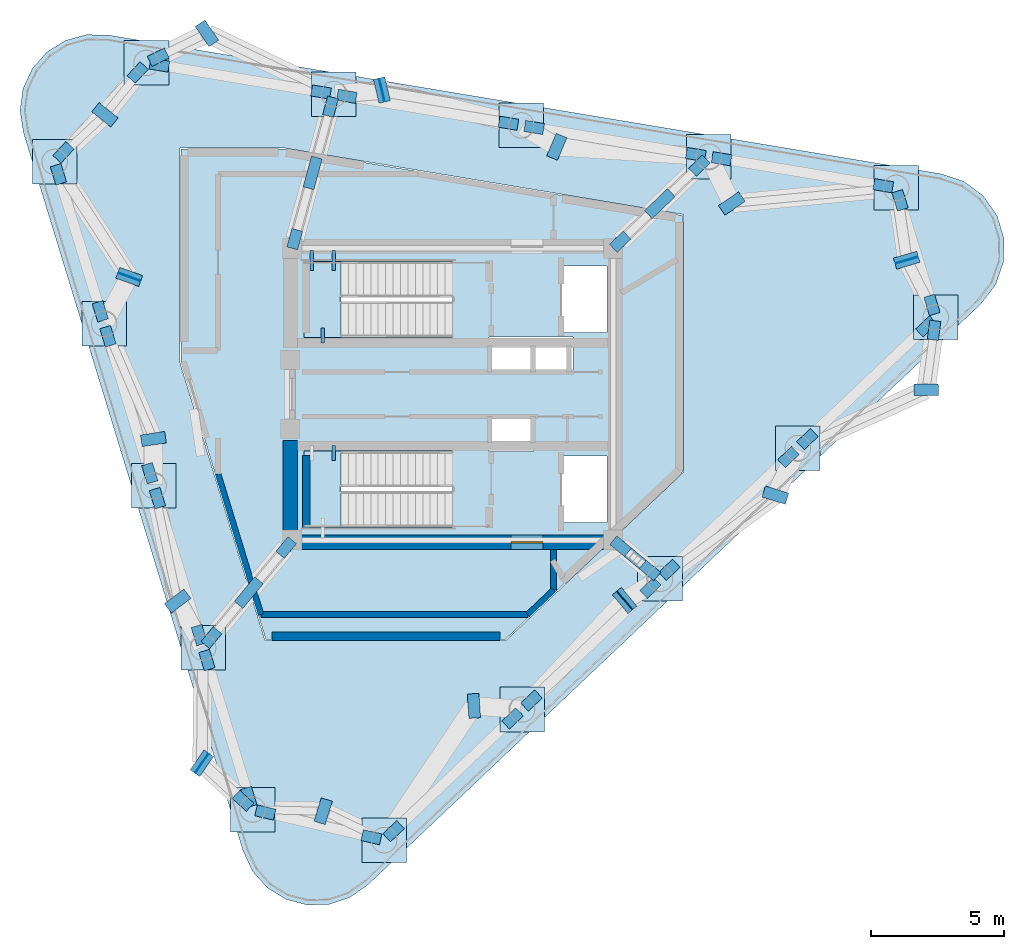
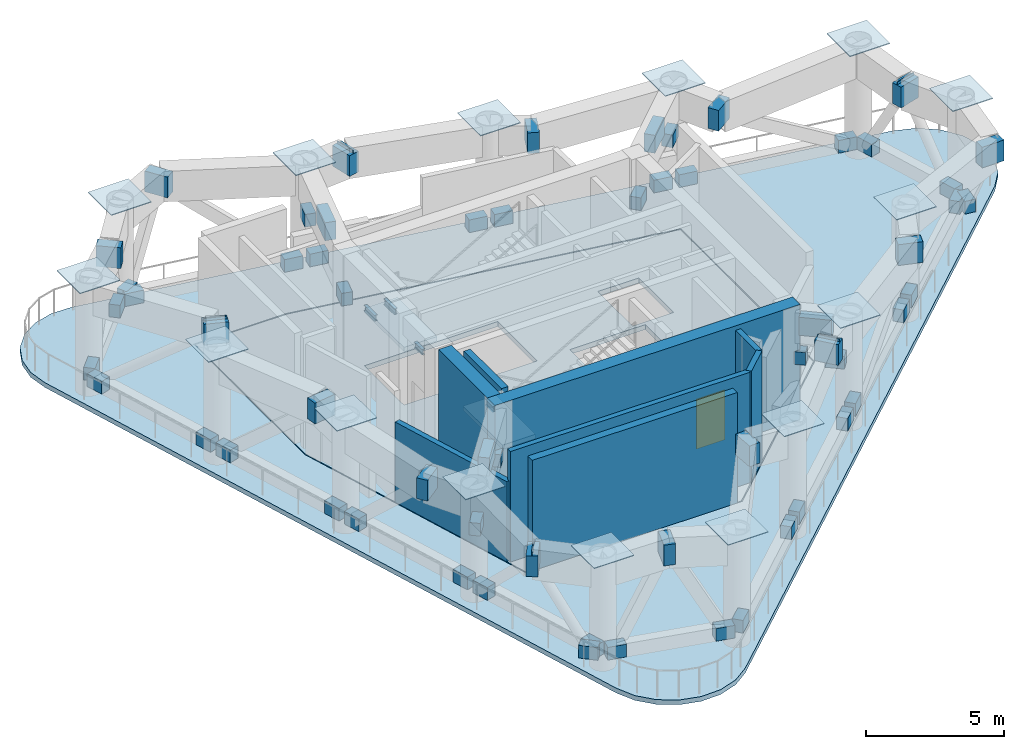
# One storey, part 3 of 9: 80 plates, 8 walls, 4 beams, 4 slabs, 1 door, 1 opening, 2 elements without a shape of their own.
"""IFC4 building model written with IfcOpenShell, lengths in metres."""

from ifc_helpers import new_model, si_unit, direction, frame, frame_2d, origin, origin_2d, place, context, subcontext, project, spatial, polyline, rectangle, i_section, outline, extrude, source, transform, mapped, material, layer, layer_set, material_profile, profile_set, type_object, element, fill, aggregate, save


model = new_model("IFC4")

# Units and contexts
model_context = context("Model", 3, precision=1e-05, world=origin(), true_north=direction((0.0, 1.0)))
body_context = subcontext(model_context, "Body", "Model", "MODEL_VIEW")
ifc_project = project(units=[si_unit("LENGTHUNIT", "METRE"), si_unit("AREAUNIT", "SQUARE_METRE"), si_unit("VOLUMEUNIT", "CUBIC_METRE"), si_unit("PLANEANGLEUNIT", "RADIAN"), si_unit("MASSUNIT", "GRAM", prefix="KILO")], contexts=[model_context])

# Site, building, storey
site_placement = place(None, origin())
site = spatial("IfcSite", under=ifc_project, at=site_placement, CompositionType="ELEMENT")
building_placement = place(site_placement, origin())
building = spatial("IfcBuilding", under=site, at=building_placement, Name="Yunling Apex Tower", CompositionType="ELEMENT")
storey_placement = place(building_placement, frame((0.0, 0.0, 252.449951171875)))
storey = spatial("IfcBuildingStorey", under=building, at=storey_placement, Name="RF7", CompositionType="ELEMENT", Elevation=252.449951171875)

# Beams
ifc_material_1 = material(Name="Steel Q355B", Category="steel")
ifc_material_profile = material_profile(ifc_material_1, i_section(OverallWidth=0.125, OverallDepth=0.25, WebThickness=0.006103515625, FlangeThickness=0.009033203125, FilletRadius=0.011962890625, at=origin_2d()))
ifc_profile_set = profile_set([ifc_material_profile], Name="Steel Q355B")
beam_type = type_object("IfcBeamType", Name="BL-LNT-1", PredefinedType="LINTEL", material=ifc_profile_set)
shared_shape_1 = source(origin(), body_context, "Body", "SweptSolid", [
    extrude(i_section(OverallWidth=0.125, OverallDepth=0.25, WebThickness=0.006103515625, FlangeThickness=0.009033203125, FilletRadius=0.011962890625, at=origin_2d()), origin(), (0.0, 0.0, 1.0), 0.760009765625),
])
for number, where, z_axis, x_axis, name in (
    (1, (-5.320068359375, 5.419921875, 2.22998046875), (0.0, -1.0, 0.0), (1.0, 0.0, 0.0), "RF7 ST-1 Landing Bearing Corbel 1-1"),
    (2, (-4.489990234375, 5.419921875, 2.22998046875), (0.0, -1.0, 0.0), (1.0, 0.0, 0.0), "RF7 ST-1 Landing Bearing Corbel 1-2"),
):
    element("IfcBeam", number, at=place(storey_placement, frame(where, z_axis=z_axis, x_axis=x_axis)), inside=storey, type_object=beam_type, Name=name, PredefinedType="LINTEL", context=body_context, shape_type="MappedRepresentation", body=[
        mapped(shared_shape_1, transform((0.0, 0.0, 0.0), scale=1.0)),
    ])
shared_shape_2 = source(origin(), body_context, "Body", "SweptSolid", [
    extrude(i_section(OverallWidth=0.125, OverallDepth=0.25, WebThickness=0.006103515625, FlangeThickness=0.009033203125, FilletRadius=0.011962890625, at=origin_2d()), origin(), (0.0, 0.0, 1.0), 0.550048828125),
])
for number, where, z_axis, x_axis, name in (
    (3, (-4.905029296875, 1.93994140625, 2.22998046875), (0.0, 1.0, 0.0), (-1.0, 0.0, 0.0), "RF7 ST-1 Landing Bearing Corbel 1-3"),
    (4, (-4.489990234375, -1.93994140625, 2.22998046875), (0.0, -1.0, 0.0), (1.0, 0.0, 0.0), "RF7 ST-2 Landing Bearing Corbel 1-2"),
):
    element("IfcBeam", number, at=place(storey_placement, frame(where, z_axis=z_axis, x_axis=x_axis)), inside=storey, type_object=beam_type, Name=name, PredefinedType="LINTEL", context=body_context, shape_type="MappedRepresentation", body=[
        mapped(shared_shape_2, transform((0.0, 0.0, 0.0), scale=1.0)),
    ])

# Stair, slab
ifc_material_2 = material(Name="Concrete C40", Category="concrete")
stair_type = type_object("IfcStairType", Name="ST-TWR-1", PredefinedType="HALF_TURN_STAIR", material=ifc_material_2)
stair_1_placement = place(storey_placement, origin())
stair_1 = element("IfcStair", 5, at=stair_1_placement, inside=storey, type_object=stair_type, Name="RF7 North Core Smokeproof Exit Stair ST-1", PredefinedType="HALF_TURN_STAIR")
ifc_layer_1 = layer(ifc_material_2, 0.195068359375)
ifc_layer_set_1 = layer_set([ifc_layer_1], Name="Concrete C40")
slab_type_1 = type_object("IfcSlabType", Name="SL-LND-1", PredefinedType="LANDING", material=ifc_layer_set_1)
slab_1_placement = place(storey_placement, frame((0.0, 0.0, 2.35498046875)))
slab_1 = element("IfcSlab", 6, at=slab_1_placement, type_object=slab_type_1, Name="ST-1 landing 1", PredefinedType="LANDING", context=body_context, shape_type="SweptSolid", body=[
    extrude(outline(polyline([(-4.2099609375, 5.010009765625), (-5.60009765625, 5.010009765625), (-5.60009765625, 2.139892578125), (-4.2099609375, 2.139892578125), (-4.2099609375, 5.010009765625)])), origin(), (0.0, 0.0, 1.0), 0.195068359375),
])
aggregate(stair_1, [slab_1])

stair_2_placement = place(storey_placement, origin())
stair_2 = element("IfcStair", 7, at=stair_2_placement, inside=storey, type_object=stair_type, Name="RF7 South Core Smokeproof Exit Stair ST-2", PredefinedType="HALF_TURN_STAIR")
slab_2_placement = place(storey_placement, frame((0.0, 0.0, 2.35498046875)))
slab_2 = element("IfcSlab", 8, at=slab_2_placement, type_object=slab_type_1, Name="ST-2 landing 1", PredefinedType="LANDING", context=body_context, shape_type="SweptSolid", body=[
    extrude(outline(polyline([(-4.2099609375, -2.139892578125), (-5.60009765625, -2.139892578125), (-5.60009765625, -5.010009765625), (-4.2099609375, -5.010009765625), (-4.2099609375, -2.139892578125)])), origin(), (0.0, 0.0, 1.0), 0.195068359375),
])
aggregate(stair_2, [slab_2])

# Slabs
ifc_layer_2 = layer(ifc_material_2, 0.219970703125)
ifc_layer_set_2 = layer_set([ifc_layer_2], Name="Concrete C40")
slab_type_2 = type_object("IfcSlabType", Name="SL-RFG-1", PredefinedType="FLOOR", material=ifc_layer_set_2)
slab_3_placement = place(storey_placement, frame((0.0, 0.0, -0.219970703125)))
element("IfcSlab", 9, at=slab_3_placement, inside=storey, type_object=slab_type_2, Name="RF7 Mechanical & Belt-Truss Interior Slab", PredefinedType="FLOOR", context=body_context, shape_type="SweptSolid", body=[
    extrude(outline(polyline([(8.64990234375, 6.740478515625), (-6.4111328125, 9.25), (-10.25, 9.25), (-10.25, 1.2353515625), (-7.044189453125, -9.25), (1.9716796875, -9.25), (8.64990234375, -2.92138671875), (8.64990234375, 6.740478515625)]), holes=[polyline([(4.090087890625, 4.840087890625), (5.81005859375, 4.840087890625), (5.81005859375, 2.320068359375), (4.090087890625, 2.320068359375), (4.090087890625, 4.840087890625)]), polyline([(4.090087890625, -4.840087890625), (4.090087890625, -2.320068359375), (5.81005859375, -2.320068359375), (5.81005859375, -4.840087890625), (4.090087890625, -4.840087890625)]), polyline([(4.534912109375, 0.794921875), (1.364990234375, 0.794921875), (1.364990234375, 2.1650390625), (4.534912109375, 2.1650390625), (4.534912109375, 0.794921875)]), polyline([(1.364990234375, -0.794921875), (3.034912109375, -0.794921875), (3.034912109375, -2.1650390625), (1.364990234375, -2.1650390625), (1.364990234375, -0.794921875)]), polyline([(-0.010009765625, -5.010009765625), (-5.60009765625, -5.010009765625), (-5.60009765625, -2.139892578125), (-0.010009765625, -2.139892578125), (-0.010009765625, -5.010009765625)]), polyline([(-0.010009765625, 2.139892578125), (-5.60009765625, 2.139892578125), (-5.60009765625, 5.010009765625), (-0.010009765625, 5.010009765625), (-0.010009765625, 2.139892578125)])]), origin(), (0.0, 0.0, 1.0), 0.219970703125),
])
ifc_layer_3 = layer(ifc_material_2, 0.2099609375)
ifc_layer_set_3 = layer_set([ifc_layer_3], Name="Concrete C40")
slab_type_3 = type_object("IfcSlabType", Name="SL-RFG-EXT", PredefinedType="FLOOR", material=ifc_layer_set_3)
slab_4_placement = place(storey_placement, frame((0.0, 0.0, -0.2099609375)))
element("IfcSlab", 10, at=slab_4_placement, inside=storey, type_object=slab_type_3, Name="RF7 Open Refuge Perimeter Terrace Band", PredefinedType="FLOOR", context=body_context, shape_type="SweptSolid", body=[
    extrude(outline(polyline([(-7.894287109375, -17.243408203125), (-7.54052734375, -17.991455078125), (-6.9873046875, -18.60693359375), (-6.281005859375, -19.0380859375), (-5.480712890625, -19.249267578125), (-4.65380859375, -19.22216796875), (-3.868896484375, -18.959716796875), (-3.192138671875, -18.483154296875), (19.91064453125, 3.409912109375), (20.459716796875, 4.126220703125), (20.7578125, 4.977783203125), (20.776123046875, 5.880126953125), (20.51220703125, 6.7431640625), (19.99267578125, 7.48095703125), (19.26904296875, 8.02001953125), (18.41357421875, 8.306884765625), (-12.982177734375, 13.538330078125), (-13.8095703125, 13.5546875), (-14.60693359375, 13.33349609375), (-15.307861328125, 12.8935546875), (-15.853271484375, 12.27099609375), (-16.197509765625, 11.5185546875), (-16.31201171875, 10.698974609375), (-16.187255859375, 9.881103515625), (-7.894287109375, -17.243408203125)]), holes=[polyline([(1.98779296875, -9.2900390625), (-7.073974609375, -9.2900390625), (-10.2900390625, 1.229248046875), (-10.2900390625, 9.2900390625), (-6.407958984375, 9.2900390625), (8.68994140625, 6.7744140625), (8.68994140625, -2.938720703125), (1.98779296875, -9.2900390625)])]), origin(), (0.0, 0.0, 1.0), 0.2099609375),
])

# Plates
ifc_layer_4 = layer(ifc_material_1, 0.030029296875)
ifc_layer_set_4 = layer_set([ifc_layer_4], Name="Steel Q355B")
plate_type_1 = type_object("IfcPlateType", Name="NP-CAP-1", PredefinedType="USERDEFINED", material=ifc_layer_set_4)
shared_shape_3 = source(origin(), body_context, "Body", "SweptSolid", [
    extrude(rectangle(XDim=1.679931640625, YDim=1.679931640625, at=origin_2d()), origin(), (0.0, 0.0, 1.0), 0.035888671875),
])
for number, where, z_axis, x_axis, name in (
    (11, (-2.58740234375, -16.807861328125, 4.9970703125), (0.0, 0.0, 1.0), (1.0, 0.0, 0.0), "RF7 Lower-Block CFST Column Top Cap Plate P01"),
    (12, (2.61083984375, -11.8818359375, 4.9970703125), (0.0, 0.0, 1.0), (1.0, 0.0, 0.0), "RF7 Lower-Block CFST Column Top Cap Plate P02"),
    (13, (7.80908203125, -6.9560546875, 4.9970703125), (0.0, 0.0, 1.0), (1.0, 0.0, 0.0), "RF7 Lower-Block CFST Column Top Cap Plate P03"),
    (14, (13.007080078125, -2.030029296875, 4.9970703125), (0.0, 0.0, 1.0), (1.0, 0.0, 0.0), "RF7 Lower-Block CFST Column Top Cap Plate P04"),
    (15, (18.205322265625, 2.89599609375, 4.9970703125), (0.0, 0.0, 1.0), (1.0, 0.0, 0.0), "RF7 Lower-Block CFST Column Top Cap Plate P05"),
    (16, (16.712158203125, 7.779296875, 4.9970703125), (0.0, 0.0, 1.0), (1.0, 0.0, 0.0), "RF7 Lower-Block CFST Column Top Cap Plate P06"),
    (17, (9.648193359375, 8.95654296875, 4.9970703125), (0.0, 0.0, 1.0), (1.0, 0.0, 0.0), "RF7 Lower-Block CFST Column Top Cap Plate P07"),
    (18, (2.584228515625, 10.133544921875, 4.9970703125), (0.0, 0.0, 1.0), (1.0, 0.0, 0.0), "RF7 Lower-Block CFST Column Top Cap Plate P08"),
    (19, (-4.479736328125, 11.310546875, 4.9970703125), (0.0, 0.0, 1.0), (1.0, 0.0, 0.0), "RF7 Lower-Block CFST Column Top Cap Plate P09"),
    (20, (-11.543701171875, 12.487548828125, 4.9970703125), (0.0, 0.0, 1.0), (1.0, 0.0, 0.0), "RF7 Lower-Block CFST Column Top Cap Plate P10"),
    (21, (-15.007568359375, 8.7587890625, 4.9970703125), (0.0, 0.0, 1.0), (1.0, 0.0, 0.0), "RF7 Lower-Block CFST Column Top Cap Plate P11"),
    (22, (-13.1416015625, 2.65576171875, 4.9970703125), (0.0, 0.0, 1.0), (1.0, 0.0, 0.0), "RF7 Lower-Block CFST Column Top Cap Plate P12"),
    (23, (-11.27587890625, -3.447509765625, 4.9970703125), (0.0, 0.0, 1.0), (1.0, 0.0, 0.0), "RF7 Lower-Block CFST Column Top Cap Plate P13"),
    (24, (-9.409912109375, -9.55029296875, 4.9970703125), (0.0, 0.0, 1.0), (1.0, 0.0, 0.0), "RF7 Lower-Block CFST Column Top Cap Plate P14"),
    (25, (-7.5439453125, -15.6533203125, 4.9970703125), (0.0, 0.0, 1.0), (1.0, 0.0, 0.0), "RF7 Lower-Block CFST Column Top Cap Plate P15"),
):
    element("IfcPlate", number, at=place(storey_placement, frame(where, z_axis=z_axis, x_axis=x_axis)), inside=storey, type_object=plate_type_1, Name=name, ObjectType="CAP_PLATE", PredefinedType="USERDEFINED", context=body_context, shape_type="MappedRepresentation", body=[
        mapped(shared_shape_3, transform((0.0, 0.0, 0.0), scale=1.0)),
    ])
ifc_layer_5 = layer(ifc_material_1, 0.035888671875)
ifc_layer_set_5 = layer_set([ifc_layer_5], Name="Steel Q355B")
plate_type_2 = type_object("IfcPlateType", Name="NP-GUS-1", PredefinedType="USERDEFINED", material=ifc_layer_set_5)
shared_shape_4 = source(origin(), body_context, "Body", "SweptSolid", [
    extrude(rectangle(XDim=0.719970703125, YDim=0.419921875, at=origin_2d()), origin(), (0.0, 0.0, 1.0), 0.56005859375),
])
for number, where, z_axis, x_axis, name in (
    (26, (-2.230224609375, -16.469482421875, 0.27001953125), (0.0, 0.0, 1.0), (0.725854756355, 0.687848001144, 0.0), "RF7 Belt Chord End Gusset Plate 262"),
    (27, (2.253662109375, -12.22021484375, 0.27001953125), (0.0, 0.0, 1.0), (0.725854756355, 0.687848001144, 0.0), "RF7 Belt Chord End Gusset Plate 263"),
    (28, (2.968017578125, -11.54345703125, 0.27001953125), (0.0, 0.0, 1.0), (0.725854756355, 0.687848001144, 0.0), "RF7 Belt Chord End Gusset Plate 264"),
    (29, (7.451904296875, -7.29443359375, 0.27001953125), (0.0, 0.0, 1.0), (0.725854756355, 0.687848001144, 0.0), "RF7 Belt Chord End Gusset Plate 265"),
    (30, (8.166015625, -6.61767578125, 0.27001953125), (0.0, 0.0, 1.0), (0.725854756355, 0.687848001144, 0.0), "RF7 Belt Chord End Gusset Plate 266"),
    (31, (12.64990234375, -2.368408203125, 0.27001953125), (0.0, 0.0, 1.0), (0.725854756355, 0.687848001144, 0.0), "RF7 Belt Chord End Gusset Plate 267"),
    (32, (13.3642578125, -1.691650390625, 0.27001953125), (0.0, 0.0, 1.0), (0.725854756355, 0.687848001144, 0.0), "RF7 Belt Chord End Gusset Plate 268"),
    (33, (17.84814453125, 2.5576171875, 0.27001953125), (0.0, 0.0, 1.0), (0.725854756355, 0.687848001144, 0.0), "RF7 Belt Chord End Gusset Plate 269"),
    (34, (18.061279296875, 3.366455078125, 0.27001953125), (0.0, 0.0, 1.0), (-0.292371704723, 0.956304755963, 0.0), "RF7 Belt Chord End Gusset Plate 270"),
    (35, (16.856201171875, 7.308837890625, 0.27001953125), (0.0, 0.0, 1.0), (-0.292371704723, 0.956304755963, 0.0), "RF7 Belt Chord End Gusset Plate 271"),
    (36, (16.226806640625, 7.8603515625, 0.27001953125), (0.0, 0.0, 1.0), (-0.986400586142, 0.164359008451, 0.0), "RF7 Belt Chord End Gusset Plate 272"),
    (37, (10.133544921875, 8.87548828125, 0.27001953125), (0.0, 0.0, 1.0), (-0.986400586142, 0.164359008451, 0.0), "RF7 Belt Chord End Gusset Plate 273"),
    (38, (9.162841796875, 9.037353515625, 0.27001953125), (0.0, 0.0, 1.0), (-0.986400586142, 0.164359008451, 0.0), "RF7 Belt Chord End Gusset Plate 274"),
    (39, (3.069580078125, 10.052490234375, 0.27001953125), (0.0, 0.0, 1.0), (-0.986400586142, 0.164359008451, 0.0), "RF7 Belt Chord End Gusset Plate 275"),
    (40, (2.098876953125, 10.21435546875, 0.27001953125), (0.0, 0.0, 1.0), (-0.986400586142, 0.164359008451, 0.0), "RF7 Belt Chord End Gusset Plate 276"),
    (41, (-3.994384765625, 11.229736328125, 0.27001953125), (0.0, 0.0, 1.0), (-0.986400586142, 0.164359008451, 0.0), "RF7 Belt Chord End Gusset Plate 277"),
    (42, (-4.965087890625, 11.3916015625, 0.27001953125), (0.0, 0.0, 1.0), (-0.986400586142, 0.164359008451, 0.0), "RF7 Belt Chord End Gusset Plate 278"),
    (43, (-11.05859375, 12.40673828125, 0.27001953125), (0.0, 0.0, 1.0), (-0.986400586142, 0.164359008451, 0.0), "RF7 Belt Chord End Gusset Plate 279"),
    (44, (-11.878662109375, 12.127197265625, 0.27001953125), (0.0, 0.0, 1.0), (-0.680593005737, -0.732661695834, 0.0), "RF7 Belt Chord End Gusset Plate 280"),
    (45, (-14.672607421875, 9.119140625, 0.27001953125), (0.0, 0.0, 1.0), (-0.680593005737, -0.732661695834, 0.0), "RF7 Belt Chord End Gusset Plate 281"),
    (46, (-14.86376953125, 8.2880859375, 0.27001953125), (0.0, 0.0, 1.0), (0.292371704723, -0.956304755963, 0.0), "RF7 Belt Chord End Gusset Plate 282"),
    (47, (-13.285400390625, 3.126220703125, 0.27001953125), (0.0, 0.0, 1.0), (0.292371704723, -0.956304755963, 0.0), "RF7 Belt Chord End Gusset Plate 283"),
    (48, (-12.997802734375, 2.185302734375, 0.27001953125), (0.0, 0.0, 1.0), (0.292371704723, -0.956304755963, 0.0), "RF7 Belt Chord End Gusset Plate 284"),
    (49, (-11.419677734375, -2.976806640625, 0.27001953125), (0.0, 0.0, 1.0), (0.292371704723, -0.956304755963, 0.0), "RF7 Belt Chord End Gusset Plate 285"),
    (50, (-11.132080078125, -3.91796875, 0.27001953125), (0.0, 0.0, 1.0), (0.292371704723, -0.956304755963, 0.0), "RF7 Belt Chord End Gusset Plate 286"),
    (51, (-9.5537109375, -9.079833984375, 0.27001953125), (0.0, 0.0, 1.0), (0.292371704723, -0.956304755963, 0.0), "RF7 Belt Chord End Gusset Plate 287"),
    (52, (-9.26611328125, -10.02099609375, 0.27001953125), (0.0, 0.0, 1.0), (0.292371704723, -0.956304755963, 0.0), "RF7 Belt Chord End Gusset Plate 288"),
    (53, (-7.687744140625, -15.182861328125, 0.27001953125), (0.0, 0.0, 1.0), (0.292371704723, -0.956304755963, 0.0), "RF7 Belt Chord End Gusset Plate 289"),
    (54, (-7.064697265625, -15.764892578125, 0.27001953125), (0.0, 0.0, 1.0), (0.973936394329, -0.226821294859, 0.0), "RF7 Belt Chord End Gusset Plate 290"),
    (55, (-3.06640625, -16.6962890625, 0.27001953125), (0.0, 0.0, 1.0), (0.973936394329, -0.226821294859, 0.0), "RF7 Belt Chord End Gusset Plate 291"),
    (56, (18.14013671875, 2.410400390625, 0.27001953125), (0.0, 0.0, 1.0), (-0.132948356962, -0.991122966327, 0.0), "RF7 Belt Diagonal Foot Gusset Plate 292"),
    (57, (-11.103759765625, 12.702880859375, 0.27001953125), (0.0, 0.0, 1.0), (0.898257804261, 0.439468903432, 0.0), "RF7 Belt Diagonal Foot Gusset Plate 293"),
    (58, (-7.90576171875, -15.322998046875, 0.27001953125), (0.0, 0.0, 1.0), (-0.738337641411, 0.674431262084, 0.0), "RF7 Belt Diagonal Foot Gusset Plate 294"),
):
    element("IfcPlate", number, at=place(storey_placement, frame(where, z_axis=z_axis, x_axis=x_axis)), inside=storey, type_object=plate_type_2, Name=name, ObjectType="GUSSET_PLATE", PredefinedType="USERDEFINED", context=body_context, shape_type="MappedRepresentation", body=[
        mapped(shared_shape_4, transform((0.0, 0.0, 0.0), scale=1.0)),
    ])
shared_shape_5 = source(origin(), body_context, "Body", "SweptSolid", [
    extrude(rectangle(XDim=0.919921875, YDim=0.43994140625, at=origin_2d()), origin(), (0.0, 0.0, 1.0), 0.919921875),
])
for number, where, z_axis, x_axis, name in (
    (59, (-4.8837890625, -15.716796875, 3.78515625), (0.0, 0.0, 1.0), (-0.296708252883, -0.954968173643, 0.0), "RF7 Belt-Truss Node Gusset Plate 1"),
    (60, (0.797119140625, -11.744873046875, 3.78515625), (0.0, 0.0, 1.0), (0.067667029017, -0.997707959868, 0.0), "RF7 Belt-Truss Node Gusset Plate 2"),
    (61, (6.47802734375, -7.77294921875, 3.78515625), (0.0, 0.0, 1.0), (0.640243780506, -0.768171791674, 0.0), "RF7 Belt-Truss Node Gusset Plate 3"),
    (62, (12.15869140625, -3.801025390625, 3.78515625), (0.0, 0.0, 1.0), (0.954448865814, -0.298374534012, 0.0), "RF7 Belt-Truss Node Gusset Plate 4"),
    (63, (17.839599609375, 0.1708984375, 3.78515625), (0.0, 0.0, 1.0), (0.999953926969, 0.009599163462, 0.0), "RF7 Belt-Truss Node Gusset Plate 5"),
    (64, (17.110107421875, 5.052490234375, 3.78515625), (0.0, 0.0, 1.0), (0.95906721989, 0.2831785086, 0.0), "RF7 Belt-Truss Node Gusset Plate 6"),
    (65, (10.51611328125, 7.18994140625, 3.78515625), (0.0, 0.0, 1.0), (0.825507718546, 0.564390827903, 0.0), "RF7 Belt-Truss Node Gusset Plate 7"),
    (66, (3.92236328125, 9.327392578125, 3.78515625), (0.0, 0.0, 1.0), (0.387676476022, 0.921795503319, 0.0), "RF7 Belt-Truss Node Gusset Plate 8"),
    (67, (-2.671630859375, 11.46484375, 3.78515625), (0.0, 0.0, 1.0), (-0.226991275371, 0.973896791711, 0.0), "RF7 Belt-Truss Node Gusset Plate 9"),
    (68, (-9.265625, 13.602294921875, 3.78515625), (0.0, 0.0, 1.0), (-0.562949186249, 0.826491508548, 0.0), "RF7 Belt-Truss Node Gusset Plate 10"),
    (69, (-13.10986328125, 10.532470703125, 3.78515625), (0.0, 0.0, 1.0), (-0.779556643439, 0.626331732926, 0.0), "RF7 Belt-Truss Node Gusset Plate 11"),
    (70, (-12.19677734375, 4.423095703125, 3.78515625), (0.0, 0.0, 1.0), (-0.94010977581, 0.340871837244, 0.0), "RF7 Belt-Truss Node Gusset Plate 12"),
    (71, (-11.28369140625, -1.686279296875, 3.78515625), (0.0, 0.0, 1.0), (-0.989015863362, -0.14780941113, 0.0), "RF7 Belt-Truss Node Gusset Plate 13"),
    (72, (-10.37060546875, -7.7958984375, 3.78515625), (0.0, 0.0, 1.0), (-0.799370169588, -0.60083885691, 0.0), "RF7 Belt-Truss Node Gusset Plate 14"),
    (73, (-9.45751953125, -13.9052734375, 3.78515625), (0.0, 0.0, 1.0), (-0.562372049186, -0.826884319778, 0.0), "RF7 Belt-Truss Node Gusset Plate 15"),
):
    element("IfcPlate", number, at=place(storey_placement, frame(where, z_axis=z_axis, x_axis=x_axis)), inside=storey, type_object=plate_type_2, Name=name, ObjectType="GUSSET_PLATE", PredefinedType="USERDEFINED", context=body_context, shape_type="MappedRepresentation", body=[
        mapped(shared_shape_5, transform((0.0, 0.0, 0.0), scale=1.0)),
    ])
shared_shape_6 = source(origin(), body_context, "Body", "SweptSolid", [
    extrude(rectangle(XDim=0.85009765625, YDim=0.030029296875, at=origin_2d()), origin(), (0.0, 0.0, 1.0), 0.85009765625),
])
for number, where, z_axis, x_axis, name in (
    (74, (6.47802734375, -7.77294921875, 3.969970703125), (0.0, 0.0, 1.0), (0.640243780506, -0.768171791674, 0.0), "RF7 Box Ring Girder End Cap Plate 3"),
    (75, (17.110107421875, 5.052490234375, 3.969970703125), (0.0, 0.0, 1.0), (0.95906721989, 0.2831785086, 0.0), "RF7 Box Ring Girder End Cap Plate 6"),
    (76, (-2.671630859375, 11.46484375, 3.969970703125), (0.0, 0.0, 1.0), (-0.226991275371, 0.973896791711, 0.0), "RF7 Box Ring Girder End Cap Plate 9"),
    (77, (-12.19677734375, 4.423095703125, 3.969970703125), (0.0, 0.0, 1.0), (-0.94010977581, 0.340871837244, 0.0), "RF7 Box Ring Girder End Cap Plate 12"),
    (78, (-9.45751953125, -13.9052734375, 3.969970703125), (0.0, 0.0, 1.0), (-0.562372049186, -0.826884319778, 0.0), "RF7 Box Ring Girder End Cap Plate 15"),
):
    element("IfcPlate", number, at=place(storey_placement, frame(where, z_axis=z_axis, x_axis=x_axis)), inside=storey, type_object=plate_type_1, Name=name, ObjectType="CAP_PLATE", PredefinedType="USERDEFINED", context=body_context, shape_type="MappedRepresentation", body=[
        mapped(shared_shape_6, transform((0.0, 0.0, 0.0), scale=1.0)),
    ])
ifc_layer_6 = layer(ifc_material_1, 0.031982421875)
ifc_layer_set_6 = layer_set([ifc_layer_6], Name="Steel Q355B")
plate_type_3 = type_object("IfcPlateType", Name="NP-GUS-2", PredefinedType="USERDEFINED", material=ifc_layer_set_6)
shared_shape_7 = source(origin(), body_context, "Body", "SweptSolid", [
    extrude(rectangle(XDim=1.199951171875, YDim=0.419921875, at=origin_2d()), origin(), (0.0, 0.0, 1.0), 0.800048828125),
])
for number, where, z_axis, x_axis, name in (
    (79, (-7.6884765625, -7.47509765625, 3.84521484375), (0.0, 0.0, 1.0), (-0.638499207495, -0.769622480199, 0.0), "RF7 Outrigger Mid-Top Gusset Plate 1"),
    (80, (6.87939453125, -6.1865234375, 3.84521484375), (0.0, 0.0, 1.0), (0.770290692891, -0.637692910769, 0.0), "RF7 Outrigger Mid-Top Gusset Plate 2"),
    (81, (7.80224609375, 7.18310546875, 3.84521484375), (0.0, 0.0, 1.0), (0.721155944485, 0.692772764861, 0.0), "RF7 Outrigger Mid-Top Gusset Plate 3"),
    (82, (-5.281982421875, 8.342529296875, 3.84521484375), (0.0, 0.0, 1.0), (0.26084150629, 0.965381638833, 0.0), "RF7 Outrigger Mid-Top Gusset Plate 4"),
):
    element("IfcPlate", number, at=place(storey_placement, frame(where, z_axis=z_axis, x_axis=x_axis)), inside=storey, type_object=plate_type_3, Name=name, ObjectType="GUSSET_PLATE", PredefinedType="USERDEFINED", context=body_context, shape_type="MappedRepresentation", body=[
        mapped(shared_shape_7, transform((0.0, 0.0, 0.0), scale=1.0)),
    ])
shared_shape_8 = source(origin(), body_context, "Body", "SweptSolid", [
    extrude(rectangle(XDim=0.719970703125, YDim=0.419921875, at=origin_2d()), origin(), (0.0, 0.0, 1.0), 0.56005859375),
])
for number, where, z_axis, x_axis, name in (
    (83, (-6.27978515625, -5.777099609375, 2.5400390625), (0.0, 0.0, 1.0), (-0.638499207495, -0.769622480199, 0.0), "RF7 Outrigger Core Embed Gusset Plate 295"),
    (84, (-9.09716796875, -9.17333984375, 2.5400390625), (0.0, 0.0, 1.0), (-0.638499207495, -0.769622480199, 0.0), "RF7 Outrigger Column Gusset Plate 296"),
    (85, (6.327392578125, -5.7294921875, 2.5400390625), (0.0, 0.0, 1.0), (0.770290692891, -0.637692910769, 0.0), "RF7 Outrigger Core Embed Gusset Plate 297"),
    (86, (7.431396484375, -6.6435546875, 2.5400390625), (0.0, 0.0, 1.0), (0.770290692891, -0.637692910769, 0.0), "RF7 Outrigger Column Gusset Plate 298"),
    (87, (6.3095703125, 5.74951171875, 2.5400390625), (0.0, 0.0, 1.0), (0.721155944485, 0.692772764861, 0.0), "RF7 Outrigger Core Embed Gusset Plate 299"),
    (88, (9.294921875, 8.616943359375, 2.5400390625), (0.0, 0.0, 1.0), (0.721155944485, 0.692772764861, 0.0), "RF7 Outrigger Column Gusset Plate 300"),
    (89, (-5.9560546875, 5.847412109375, 2.5400390625), (0.0, 0.0, 1.0), (0.26084150629, 0.965381638833, 0.0), "RF7 Outrigger Core Embed Gusset Plate 301"),
    (90, (-4.607666015625, 10.837646484375, 2.5400390625), (0.0, 0.0, 1.0), (0.26084150629, 0.965381638833, 0.0), "RF7 Outrigger Column Gusset Plate 302"),
):
    element("IfcPlate", number, at=place(storey_placement, frame(where, z_axis=z_axis, x_axis=x_axis)), inside=storey, type_object=plate_type_3, Name=name, ObjectType="GUSSET_PLATE", PredefinedType="USERDEFINED", context=body_context, shape_type="MappedRepresentation", body=[
        mapped(shared_shape_8, transform((0.0, 0.0, 0.0), scale=1.0)),
    ])

# Wall, opening, door
ifc_layer_7 = layer(ifc_material_2, 0.550048828125)
ifc_layer_set_7 = layer_set([ifc_layer_7], Name="Concrete C40")
wall_type_1 = type_object("IfcWallType", Name="WL-COR-3", PredefinedType="SHEAR", material=ifc_layer_set_7)
wall_1_placement = place(storey_placement, frame((-6.39990234375, -5.574951171875, 0.0), z_axis=(0.0, 0.0, 1.0), x_axis=(1.0, 0.0, 0.0)))
wall_1 = element("IfcWall", 91, at=wall_1_placement, inside=storey, type_object=wall_type_1, Name="RF7 South Core Shear Wall", PredefinedType="SHEAR", context=body_context, shape_type="SweptSolid", body=[
    extrude(rectangle(XDim=12.7998046875, YDim=0.550048828125, at=frame_2d((6.39990234375, 0.0))), origin(), (0.0, 0.0, 1.0), 5.10009765625),
])
opening_placement = place(wall_1_placement, frame((8.60009765625, 0.0, 0.0)))
opening = element("IfcOpeningElement", 92, at=opening_placement, cuts=wall_1, Name="Opening DR-FFL-1", PredefinedType="OPENING", context=body_context, shape_type="SweptSolid", body=[
    extrude(rectangle(XDim=1.199951171875, YDim=2.199951171875, at=frame_2d((0.60009765625, 1.10009765625))), frame((0.0, 0.28515625, 0.0), z_axis=(0.0, -1.0, 0.0), x_axis=(1.0, 0.0, 0.0)), (0.0, 0.0, 1.0), 0.570068359375),
])
door_type = type_object("IfcDoorType", Name="DR-FFL-1", OperationType="NOTDEFINED", PredefinedType="DOOR", material=ifc_material_1)
door_placement = place(opening_placement, origin())
door = element("IfcDoor", 93, at=door_placement, inside=storey, type_object=door_type, Name="RF7 South Firefighting Lobby Door", OperationType="SINGLE_SWING_RIGHT", OverallHeight=2.199951171875, OverallWidth=1.199951171875, PredefinedType="DOOR", context=body_context, shape_type="SweptSolid", body=[
    extrude(rectangle(XDim=1.199951171875, YDim=2.199951171875, at=frame_2d((0.60009765625, 1.10009765625))), frame((0.0, 0.02490234375, 0.0), z_axis=(0.0, -1.0, 0.0), x_axis=(1.0, 0.0, 0.0)), (0.0, 0.0, 1.0), 0.050048828125),
])
fill(opening, door)

# Walls
wall_2_placement = place(storey_placement, frame((-6.125, -5.300048828125, 0.0), z_axis=(0.0, 0.0, 1.0), x_axis=(0.0, 1.0, 0.0)))
element("IfcWall", 94, at=wall_2_placement, inside=storey, type_object=wall_type_1, Name="RF7 West-South Core Shear Wall", PredefinedType="SHEAR", context=body_context, shape_type="SweptSolid", body=[
    extrude(rectangle(XDim=3.550048828125, YDim=0.550048828125, at=frame_2d((1.77490234375, 0.0))), origin(), (0.0, 0.0, 1.0), 5.10009765625),
])
ifc_layer_8 = layer(ifc_material_2, 0.280029296875)
ifc_layer_set_8 = layer_set([ifc_layer_8], Name="Concrete C40")
wall_type_2 = type_object("IfcWallType", Name="WL-COR-8", PredefinedType="SHEAR", material=ifc_layer_set_8)
wall_3_placement = place(storey_placement, frame((-5.52001953125, -5.050048828125, 0.0), z_axis=(0.0, 0.0, 1.0), x_axis=(0.0, 1.0, 0.0)))
element("IfcWall", 95, at=wall_3_placement, inside=storey, type_object=wall_type_2, Name="RF7 ST-2 West Landing Bearing Wall", PredefinedType="SHEAR", context=body_context, shape_type="SweptSolid", body=[
    extrude(rectangle(XDim=2.75, YDim=0.280029296875, at=frame_2d((1.375, 0.0))), origin(), (0.0, 0.0, 1.0), 5.10009765625),
])
ifc_material_3 = material(Name="Precast concrete C40", Category="concrete")
ifc_layer_9 = layer(ifc_material_3, 0.320068359375)
ifc_layer_set_9 = layer_set([ifc_layer_9], Name="Precast concrete C40")
wall_type_3 = type_object("IfcWallType", Name="WL-EXT-1", PredefinedType="SOLIDWALL", material=ifc_layer_set_9)
wall_4_placement = place(storey_placement, frame((1.783935546875, -9.1298828125, 0.0), z_axis=(0.0, 0.0, 1.0), x_axis=(-1.0, 0.0, 0.0)))
element("IfcWall", 96, at=wall_4_placement, inside=storey, type_object=wall_type_3, Name="WL-RF7-IR-03", PredefinedType="SOLIDWALL", context=body_context, shape_type="SweptSolid", body=[
    extrude(rectangle(XDim=8.599365234375, YDim=0.320068359375, at=frame_2d((4.2998046875, 0.0))), origin(), (0.0, 0.0, 1.0), 4.900146484375),
])
ifc_material_4 = material(Name="Autoclaved aerated concrete masonry", Category="masonry")
ifc_layer_10 = layer(ifc_material_4, 0.219970703125)
ifc_layer_set_10 = layer_set([ifc_layer_10], Name="Autoclaved aerated concrete masonry")
wall_type_4 = type_object("IfcWallType", Name="WL-SHF-1", PredefinedType="PLUMBINGWALL", material=ifc_layer_set_10)
wall_5_placement = place(storey_placement, frame((3.800048828125, -5.85009765625, 0.0), z_axis=(0.0, 0.0, 1.0), x_axis=(0.0, -1.0, 0.0)))
element("IfcWall", 97, at=wall_5_placement, inside=storey, type_object=wall_type_4, Name="WL-RF7-PCR-02", PredefinedType="PLUMBINGWALL", context=body_context, shape_type="SweptSolid", body=[
    extrude(rectangle(XDim=1.529541015625, YDim=0.219970703125, at=frame_2d((0.7646484375, 0.0))), origin(), (0.0, 0.0, 1.0), 4.900146484375),
])
wall_6_placement = place(storey_placement, frame((3.800048828125, -7.379638671875, 0.0), z_axis=(0.0, 0.0, 1.0), x_axis=(-0.725828012811, -0.687876221292, 0.0)))
element("IfcWall", 98, at=wall_6_placement, inside=storey, type_object=wall_type_4, Name="WL-RF7-PCR-03", PredefinedType="PLUMBINGWALL", context=body_context, shape_type="SweptSolid", body=[
    extrude(rectangle(XDim=1.338134765625, YDim=0.219970703125, at=frame_2d((0.6689453125, 0.0))), origin(), (0.0, 0.0, 1.0), 4.900146484375),
])
wall_7_placement = place(storey_placement, frame((2.828857421875, -8.300048828125, 0.0), z_axis=(0.0, 0.0, 1.0), x_axis=(-1.0, 0.0, 0.0)))
element("IfcWall", 99, at=wall_7_placement, inside=storey, type_object=wall_type_4, Name="WL-RF7-PCR-04", PredefinedType="PLUMBINGWALL", context=body_context, shape_type="SweptSolid", body=[
    extrude(rectangle(XDim=10.05908203125, YDim=0.219970703125, at=frame_2d((5.029541015625, 0.0))), origin(), (0.0, 0.0, 1.0), 4.900146484375),
])
wall_8_placement = place(storey_placement, frame((-7.230224609375, -8.300048828125, 0.0), z_axis=(0.0, 0.0, 1.0), x_axis=(-0.292385345575, 0.95630058543, 0.0)))
element("IfcWall", 100, at=wall_8_placement, inside=storey, type_object=wall_type_4, Name="WL-RF7-PCR-05", PredefinedType="PLUMBINGWALL", context=body_context, shape_type="SweptSolid", body=[
    extrude(rectangle(XDim=5.540283203125, YDim=0.219970703125, at=frame_2d((2.77001953125, 0.0))), origin(), (0.0, 0.0, 1.0), 3.554931640625),
])

save(model, "model.ifc")
